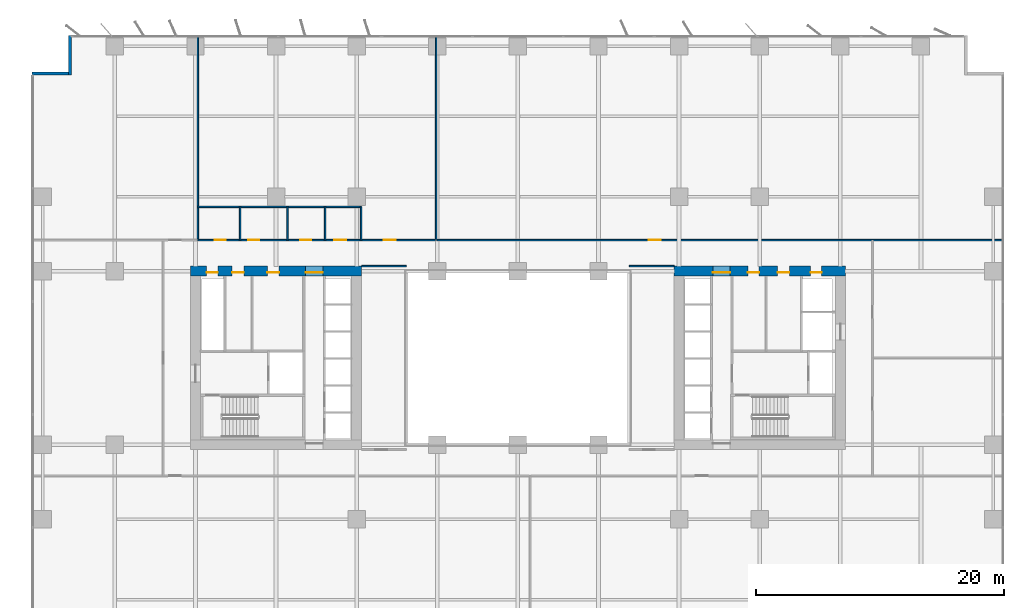
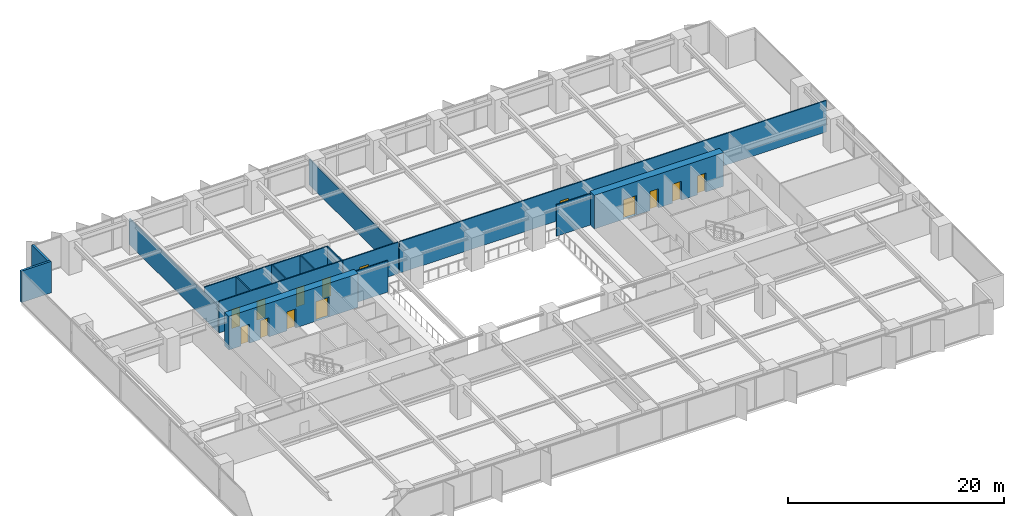
# One storey, part 15 of 20: 16 walls, 14 doors, 14 openings.
"""IFC4 building model written with IfcOpenShell, lengths in metres."""

from ifc_helpers import new_model, si_unit, direction, frame, frame_2d, origin, place, context, subcontext, project, spatial, rectangle, extrude, material, layer, layer_set, type_object, element, fill, save


model = new_model("IFC4")

# Units and contexts
model_context = context("Model", 3, precision=1e-05, world=origin(), true_north=direction((0.0, 1.0)))
body_context = subcontext(model_context, "Body", "Model", "MODEL_VIEW")
ifc_project = project(units=[si_unit("LENGTHUNIT", "METRE"), si_unit("AREAUNIT", "SQUARE_METRE"), si_unit("VOLUMEUNIT", "CUBIC_METRE"), si_unit("PLANEANGLEUNIT", "RADIAN"), si_unit("MASSUNIT", "GRAM", prefix="KILO")], contexts=[model_context])

# Site, building, storey
site_placement = place(None, origin())
site = spatial("IfcSite", under=ifc_project, at=site_placement, CompositionType="ELEMENT")
building_placement = place(site_placement, origin())
building = spatial("IfcBuilding", under=site, at=building_placement, Name="Putna Gate Headquarters", CompositionType="ELEMENT")
storey_placement = place(building_placement, frame((0.0, 0.0, 35.39990234375)))
storey = spatial("IfcBuildingStorey", under=building, at=storey_placement, Name="L07", CompositionType="ELEMENT", Elevation=35.39990234375)

# Wall, openings, doors
ifc_material_1 = material(Name="Concrete C60/75", Category="concrete")
ifc_layer_1 = layer(ifc_material_1, 0.800048828125)
ifc_layer_set_1 = layer_set([ifc_layer_1], Name="Concrete C60/75")
wall_type_1 = type_object("IfcWallType", Name="WALL-CORE-800", PredefinedType="SHEAR", material=ifc_layer_set_1)
wall_1_placement = place(storey_placement, frame((12.60009765625, 33.0, 0.0), z_axis=(0.0, 0.0, 1.0), x_axis=(1.0, 0.0, 0.0)))
wall_1 = element("IfcWall", 1, at=wall_1_placement, inside=storey, type_object=wall_type_1, Name="L07 WC Split Core Shear Wall N", PredefinedType="SHEAR", context=body_context, shape_type="SweptSolid", body=[
    extrude(rectangle(XDim=13.7998046875, YDim=0.800048828125, at=frame_2d((6.89990234375, 0.0))), origin(), (0.0, 0.0, 1.0), 3.800048828125),
])
opening_1_placement = place(wall_1_placement, frame((1.300048828125, 0.0, 0.0)))
opening_1 = element("IfcOpeningElement", 2, at=opening_1_placement, cuts=wall_1, Name="Opening RD-90", PredefinedType="OPENING", context=body_context, shape_type="SweptSolid", body=[
    extrude(rectangle(XDim=0.89990234375, YDim=2.14990234375, at=frame_2d((0.449951171875, 1.074951171875))), frame((0.0, 0.409912109375, 0.0), z_axis=(0.0, -1.0, 0.0), x_axis=(1.0, 0.0, 0.0)), (0.0, 0.0, 1.0), 0.820068359375),
])
opening_2_placement = place(wall_1_placement, frame((3.35009765625, 0.0, 0.0)))
opening_2 = element("IfcOpeningElement", 3, at=opening_2_placement, cuts=wall_1, Name="Opening IDS-95", PredefinedType="OPENING", context=body_context, shape_type="SweptSolid", body=[
    extrude(rectangle(XDim=0.949951171875, YDim=2.14990234375, at=frame_2d((0.47509765625, 1.074951171875))), frame((0.0, 0.409912109375, 0.0), z_axis=(0.0, -1.0, 0.0), x_axis=(1.0, 0.0, 0.0)), (0.0, 0.0, 1.0), 0.820068359375),
])
opening_3_placement = place(wall_1_placement, frame((6.199951171875, 0.0, 0.0)))
opening_3 = element("IfcOpeningElement", 4, at=opening_3_placement, cuts=wall_1, Name="Opening IDS-95", PredefinedType="OPENING", context=body_context, shape_type="SweptSolid", body=[
    extrude(rectangle(XDim=0.949951171875, YDim=2.14990234375, at=frame_2d((0.47509765625, 1.074951171875))), frame((0.0, 0.409912109375, 0.0), z_axis=(0.0, -1.0, 0.0), x_axis=(1.0, 0.0, 0.0)), (0.0, 0.0, 1.0), 0.820068359375),
])
opening_4_placement = place(wall_1_placement, frame((9.280029296875, 0.0, 0.0)))
opening_4 = element("IfcOpeningElement", 5, at=opening_4_placement, cuts=wall_1, Name="Opening FDD-140", PredefinedType="OPENING", context=body_context, shape_type="SweptSolid", body=[
    extrude(rectangle(XDim=1.39990234375, YDim=2.199951171875, at=frame_2d((0.699951171875, 1.10009765625))), frame((0.0, 0.409912109375, 0.0), z_axis=(0.0, -1.0, 0.0), x_axis=(1.0, 0.0, 0.0)), (0.0, 0.0, 1.0), 0.820068359375),
])
ifc_material_2 = material(Name="Double steel fire door", Category="steel")
door_type_1 = type_object("IfcDoorType", Name="DOOR-FIRE-DBL-1400", OperationType="DOUBLE_DOOR_SINGLE_SWING", PredefinedType="DOOR", material=ifc_material_2)
door_1_placement = place(opening_4_placement, origin())
door_1 = element("IfcDoor", 6, at=door_1_placement, inside=storey, type_object=door_type_1, Name="L07 West Lift Lobby North Door", OperationType="DOUBLE_DOOR_SINGLE_SWING", OverallHeight=2.199951171875, OverallWidth=1.39990234375, PredefinedType="DOOR", context=body_context, shape_type="SweptSolid", body=[
    extrude(rectangle(XDim=1.39990234375, YDim=2.199951171875, at=frame_2d((0.699951171875, 1.10009765625))), frame((0.0, -0.0751953125, 0.0), z_axis=(0.0, -1.0, 0.0), x_axis=(1.0, 0.0, 0.0)), (0.0, 0.0, 1.0), 0.050048828125),
])
fill(opening_4, door_1)
ifc_material_3 = material(Name="Fire-rated service timber door", Category="wood")
door_type_2 = type_object("IfcDoorType", Name="DOOR-INT-950", OperationType="NOTDEFINED", PredefinedType="DOOR", material=ifc_material_3)
door_2_placement = place(opening_2_placement, origin())
door_2 = element("IfcDoor", 7, at=door_2_placement, inside=storey, type_object=door_type_2, Name="L07 Archive Store Door", OperationType="SINGLE_SWING_LEFT", OverallHeight=2.14990234375, OverallWidth=0.949951171875, PredefinedType="DOOR", context=body_context, shape_type="SweptSolid", body=[
    extrude(rectangle(XDim=0.949951171875, YDim=2.14990234375, at=frame_2d((0.47509765625, 1.074951171875))), frame((0.0, -0.0751953125, 0.0), z_axis=(0.0, -1.0, 0.0), x_axis=(1.0, 0.0, 0.0)), (0.0, 0.0, 1.0), 0.050048828125),
])
fill(opening_2, door_2)
door_3_placement = place(opening_3_placement, origin())
door_3 = element("IfcDoor", 8, at=door_3_placement, inside=storey, type_object=door_type_2, Name="L07 Switchgear Plant Door", OperationType="SINGLE_SWING_RIGHT", OverallHeight=2.14990234375, OverallWidth=0.949951171875, PredefinedType="DOOR", context=body_context, shape_type="SweptSolid", body=[
    extrude(rectangle(XDim=0.949951171875, YDim=2.14990234375, at=frame_2d((0.47509765625, 1.074951171875))), frame((0.0, -0.0751953125, 0.0), z_axis=(0.0, -1.0, 0.0), x_axis=(1.0, 0.0, 0.0)), (0.0, 0.0, 1.0), 0.050048828125),
])
fill(opening_3, door_3)
ifc_material_4 = material(Name="Steel riser access fire door", Category="steel")
door_type_3 = type_object("IfcDoorType", Name="DOOR-RISER-900", OperationType="NOTDEFINED", PredefinedType="DOOR", material=ifc_material_4)
door_4_placement = place(opening_1_placement, origin())
door_4 = element("IfcDoor", 9, at=door_4_placement, inside=storey, type_object=door_type_3, Name="L07 West Riser Access Door", OperationType="SINGLE_SWING_RIGHT", OverallHeight=2.14990234375, OverallWidth=0.89990234375, PredefinedType="DOOR", context=body_context, shape_type="SweptSolid", body=[
    extrude(rectangle(XDim=0.89990234375, YDim=2.14990234375, at=frame_2d((0.449951171875, 1.074951171875))), frame((0.0, -0.0751953125, 0.0), z_axis=(0.0, -1.0, 0.0), x_axis=(1.0, 0.0, 0.0)), (0.0, 0.0, 1.0), 0.050048828125),
])
fill(opening_1, door_4)

wall_2_placement = place(storey_placement, frame((51.60009765625, 33.0, 0.0), z_axis=(0.0, 0.0, 1.0), x_axis=(1.0, 0.0, 0.0)))
wall_2 = element("IfcWall", 10, at=wall_2_placement, inside=storey, type_object=wall_type_1, Name="L07 EC Split Core Shear Wall N", PredefinedType="SHEAR", context=body_context, shape_type="SweptSolid", body=[
    extrude(rectangle(XDim=13.7998046875, YDim=0.800048828125, at=frame_2d((6.89990234375, 0.0))), origin(), (0.0, 0.0, 1.0), 3.800048828125),
])
opening_5_placement = place(wall_2_placement, frame((3.1201171875, 0.0, 0.0)))
opening_5 = element("IfcOpeningElement", 11, at=opening_5_placement, cuts=wall_2, Name="Opening FDD-140", PredefinedType="OPENING", context=body_context, shape_type="SweptSolid", body=[
    extrude(rectangle(XDim=1.39990234375, YDim=2.199951171875, at=frame_2d((0.699951171875, 1.10009765625))), frame((0.0, 0.409912109375, 0.0), z_axis=(0.0, -1.0, 0.0), x_axis=(1.0, 0.0, 0.0)), (0.0, 0.0, 1.0), 0.820068359375),
])
opening_6_placement = place(wall_2_placement, frame((11.0, 0.0, 0.0)))
opening_6 = element("IfcOpeningElement", 12, at=opening_6_placement, cuts=wall_2, Name="Opening RD-90", PredefinedType="OPENING", context=body_context, shape_type="SweptSolid", body=[
    extrude(rectangle(XDim=0.89990234375, YDim=2.14990234375, at=frame_2d((0.449951171875, 1.074951171875))), frame((0.0, 0.409912109375, 0.0), z_axis=(0.0, -1.0, 0.0), x_axis=(1.0, 0.0, 0.0)), (0.0, 0.0, 1.0), 0.820068359375),
])
opening_7_placement = place(wall_2_placement, frame((5.949951171875, 0.0, 0.0)))
opening_7 = element("IfcOpeningElement", 13, at=opening_7_placement, cuts=wall_2, Name="Opening IDS-90", PredefinedType="OPENING", context=body_context, shape_type="SweptSolid", body=[
    extrude(rectangle(XDim=0.89990234375, YDim=2.14990234375, at=frame_2d((0.449951171875, 1.074951171875))), frame((0.0, 0.409912109375, 0.0), z_axis=(0.0, -1.0, 0.0), x_axis=(1.0, 0.0, 0.0)), (0.0, 0.0, 1.0), 0.820068359375),
])
opening_8_placement = place(wall_2_placement, frame((8.35009765625, 0.0, 0.0)))
opening_8 = element("IfcOpeningElement", 14, at=opening_8_placement, cuts=wall_2, Name="Opening IDS-95", PredefinedType="OPENING", context=body_context, shape_type="SweptSolid", body=[
    extrude(rectangle(XDim=0.949951171875, YDim=2.14990234375, at=frame_2d((0.47509765625, 1.074951171875))), frame((0.0, 0.409912109375, 0.0), z_axis=(0.0, -1.0, 0.0), x_axis=(1.0, 0.0, 0.0)), (0.0, 0.0, 1.0), 0.820068359375),
])
door_5_placement = place(opening_5_placement, origin())
door_5 = element("IfcDoor", 15, at=door_5_placement, inside=storey, type_object=door_type_1, Name="L07 East Lift Lobby North Door", OperationType="DOUBLE_DOOR_SINGLE_SWING", OverallHeight=2.199951171875, OverallWidth=1.39990234375, PredefinedType="DOOR", context=body_context, shape_type="SweptSolid", body=[
    extrude(rectangle(XDim=1.39990234375, YDim=2.199951171875, at=frame_2d((0.699951171875, 1.10009765625))), frame((0.0, -0.0751953125, 0.0), z_axis=(0.0, -1.0, 0.0), x_axis=(1.0, 0.0, 0.0)), (0.0, 0.0, 1.0), 0.050048828125),
])
fill(opening_5, door_5)
ifc_material_5 = material(Name="Fire-rated utility door")
door_type_4 = type_object("IfcDoorType", Name="DOOR-INT-900", OperationType="NOTDEFINED", PredefinedType="DOOR", material=ifc_material_5)
door_6_placement = place(opening_7_placement, origin())
door_6 = element("IfcDoor", 16, at=door_6_placement, inside=storey, type_object=door_type_4, Name="L07 Telecoms Plant Door", OperationType="SINGLE_SWING_LEFT", OverallHeight=2.14990234375, OverallWidth=0.89990234375, PredefinedType="DOOR", context=body_context, shape_type="SweptSolid", body=[
    extrude(rectangle(XDim=0.89990234375, YDim=2.14990234375, at=frame_2d((0.449951171875, 1.074951171875))), frame((0.0, -0.0751953125, 0.0), z_axis=(0.0, -1.0, 0.0), x_axis=(1.0, 0.0, 0.0)), (0.0, 0.0, 1.0), 0.050048828125),
])
fill(opening_7, door_6)
door_7_placement = place(opening_8_placement, origin())
door_7 = element("IfcDoor", 17, at=door_7_placement, inside=storey, type_object=door_type_2, Name="L07 Supplies Store Door", OperationType="SINGLE_SWING_RIGHT", OverallHeight=2.14990234375, OverallWidth=0.949951171875, PredefinedType="DOOR", context=body_context, shape_type="SweptSolid", body=[
    extrude(rectangle(XDim=0.949951171875, YDim=2.14990234375, at=frame_2d((0.47509765625, 1.074951171875))), frame((0.0, -0.0751953125, 0.0), z_axis=(0.0, -1.0, 0.0), x_axis=(1.0, 0.0, 0.0)), (0.0, 0.0, 1.0), 0.050048828125),
])
fill(opening_8, door_7)
door_8_placement = place(opening_6_placement, origin())
door_8 = element("IfcDoor", 18, at=door_8_placement, inside=storey, type_object=door_type_3, Name="L07 East Riser Access Door", OperationType="SINGLE_SWING_LEFT", OverallHeight=2.14990234375, OverallWidth=0.89990234375, PredefinedType="DOOR", context=body_context, shape_type="SweptSolid", body=[
    extrude(rectangle(XDim=0.89990234375, YDim=2.14990234375, at=frame_2d((0.449951171875, 1.074951171875))), frame((0.0, -0.0751953125, 0.0), z_axis=(0.0, -1.0, 0.0), x_axis=(1.0, 0.0, 0.0)), (0.0, 0.0, 1.0), 0.050048828125),
])
fill(opening_6, door_8)

# Walls
ifc_material_6 = material(Name="Precast concrete C40/50", Category="concrete")
ifc_layer_2 = layer(ifc_material_6, 0.239990234375)
ifc_layer_set_2 = layer_set([ifc_layer_2], Name="Precast concrete C40/50")
wall_type_2 = type_object("IfcWallType", Name="WALL-EXT-TERR-240", PredefinedType="STANDARD", material=ifc_layer_set_2)
for number, where, z_axis, x_axis, name in (
    (19, (2.8798828125, 48.800048828125, 0.0), (0.0, 0.0, 1.0), (0.0, 1.0, 0.0), "L07 Corner Notch Return Wall NW-V"),
    (20, (-0.199951171875, 48.919921875, 0.0), (0.0, 0.0, 1.0), (1.0, 0.0, 0.0), "L07 Corner Notch Return Wall NW-H"),
):
    element("IfcWall", number, at=place(storey_placement, frame(where, z_axis=z_axis, x_axis=x_axis)), inside=storey, type_object=wall_type_2, Name=name, PredefinedType="STANDARD", context=body_context, shape_type="SweptSolid", body=[
        extrude(rectangle(XDim=3.199951171875, YDim=0.239990234375, at=frame_2d((1.60009765625, 0.0))), origin(), (0.0, 0.0, 1.0), 3.550048828125),
    ])
ifc_material_7 = material(Name="Acoustic gypsum board on metal stud")
ifc_layer_3 = layer(ifc_material_7, 0.1201171875)
ifc_layer_set_3 = layer_set([ifc_layer_3], Name="Acoustic gypsum board on metal stud")
wall_type_3 = type_object("IfcWallType", Name="WALL-PART-120", PredefinedType="PARTITIONING", material=ifc_layer_set_3)
for number, where, z_axis, x_axis, name in (
    (21, (26.39990234375, 33.39990234375, 0.0), (0.0, 0.0, 1.0), (1.0, 0.0, 0.0), "L07 Interior Wall PART-L07-ATR-W-N"),
    (22, (48.0, 33.39990234375, 0.0), (0.0, 0.0, 1.0), (1.0, 0.0, 0.0), "L07 Interior Wall PART-L07-ATR-E-N"),
):
    element("IfcWall", number, at=place(storey_placement, frame(where, z_axis=z_axis, x_axis=x_axis)), inside=storey, type_object=wall_type_3, Name=name, PredefinedType="PARTITIONING", context=body_context, shape_type="SweptSolid", body=[
        extrude(rectangle(XDim=3.60009765625, YDim=0.1201171875, at=frame_2d((1.800048828125, 0.0))), origin(), (0.0, 0.0, 1.0), 3.550048828125),
    ])
for number, where, z_axis, x_axis, name in (
    (23, (13.199951171875, 35.56005859375, 0.0), (0.0, 0.0, 1.0), (0.0, 1.0, 0.0), "L07 Interior Wall PART-L07-NB-DIV-01"),
    (24, (32.39990234375, 35.56005859375, 0.0), (0.0, 0.0, 1.0), (0.0, 1.0, 0.0), "L07 Interior Wall PART-L07-NB-DIV-02"),
):
    element("IfcWall", number, at=place(storey_placement, frame(where, z_axis=z_axis, x_axis=x_axis)), inside=storey, type_object=wall_type_3, Name=name, PredefinedType="PARTITIONING", context=body_context, shape_type="SweptSolid", body=[
        extrude(rectangle(XDim=16.419921875, YDim=0.1201171875, at=frame_2d((8.2099609375, 0.0))), origin(), (0.0, 0.0, 1.0), 2.900146484375),
    ])

# Wall, openings, doors
ifc_material_8 = material(Name="Fire-rated gypsum board on metal stud")
ifc_layer_4 = layer(ifc_material_8, 0.1201171875)
ifc_layer_set_4 = layer_set([ifc_layer_4], Name="Fire-rated gypsum board on metal stud")
wall_type_4 = type_object("IfcWallType", Name="WALL-PART-120-RATED", PredefinedType="PARTITIONING", material=ifc_layer_set_4)
wall_3_placement = place(storey_placement, frame((13.199951171875, 35.5, 0.0), z_axis=(0.0, 0.0, 1.0), x_axis=(1.0, 0.0, 0.0)))
wall_3 = element("IfcWall", 25, at=wall_3_placement, inside=storey, type_object=wall_type_4, Name="L07 Interior Wall PART-L07-SAN-CW", PredefinedType="PARTITIONING", context=body_context, shape_type="SweptSolid", body=[
    extrude(rectangle(XDim=13.16015625, YDim=0.1201171875, at=frame_2d((6.580078125, 0.0))), origin(), (0.0, 0.0, 1.0), 3.550048828125),
])
opening_9_placement = place(wall_3_placement, frame((1.35009765625, 0.0, 0.0)))
opening_9 = element("IfcOpeningElement", 26, at=opening_9_placement, cuts=wall_3, Name="Opening FD-90", PredefinedType="OPENING", context=body_context, shape_type="SweptSolid", body=[
    extrude(rectangle(XDim=0.89990234375, YDim=2.14990234375, at=frame_2d((0.449951171875, 1.074951171875))), frame((0.0, 0.070068359375, 0.0), z_axis=(0.0, -1.0, 0.0), x_axis=(1.0, 0.0, 0.0)), (0.0, 0.0, 1.0), 0.14013671875),
])
opening_10_placement = place(wall_3_placement, frame((4.050048828125, 0.0, 0.0)))
opening_10 = element("IfcOpeningElement", 27, at=opening_10_placement, cuts=wall_3, Name="Opening FD-90", PredefinedType="OPENING", context=body_context, shape_type="SweptSolid", body=[
    extrude(rectangle(XDim=0.89990234375, YDim=2.14990234375, at=frame_2d((0.449951171875, 1.074951171875))), frame((0.0, 0.070068359375, 0.0), z_axis=(0.0, -1.0, 0.0), x_axis=(1.0, 0.0, 0.0)), (0.0, 0.0, 1.0), 0.14013671875),
])
opening_11_placement = place(wall_3_placement, frame((8.25, 0.0, 0.0)))
opening_11 = element("IfcOpeningElement", 28, at=opening_11_placement, cuts=wall_3, Name="Opening FD-90", PredefinedType="OPENING", context=body_context, shape_type="SweptSolid", body=[
    extrude(rectangle(XDim=0.89990234375, YDim=2.14990234375, at=frame_2d((0.449951171875, 1.074951171875))), frame((0.0, 0.070068359375, 0.0), z_axis=(0.0, -1.0, 0.0), x_axis=(1.0, 0.0, 0.0)), (0.0, 0.0, 1.0), 0.14013671875),
])
opening_12_placement = place(wall_3_placement, frame((11.0, 0.0, 0.0)))
opening_12 = element("IfcOpeningElement", 29, at=opening_12_placement, cuts=wall_3, Name="Opening FD-95", PredefinedType="OPENING", context=body_context, shape_type="SweptSolid", body=[
    extrude(rectangle(XDim=0.949951171875, YDim=2.14990234375, at=frame_2d((0.47509765625, 1.074951171875))), frame((0.0, 0.070068359375, 0.0), z_axis=(0.0, -1.0, 0.0), x_axis=(1.0, 0.0, 0.0)), (0.0, 0.0, 1.0), 0.14013671875),
])
ifc_material_9 = material(Name="Acoustic washroom fire door")
door_type_5 = type_object("IfcDoorType", Name="DOOR-FIRE-900", OperationType="NOTDEFINED", PredefinedType="DOOR", material=ifc_material_9)
door_9_placement = place(opening_9_placement, origin())
door_9 = element("IfcDoor", 30, at=door_9_placement, inside=storey, type_object=door_type_5, Name="L07 Washroom Male Door", OperationType="SINGLE_SWING_LEFT", OverallHeight=2.14990234375, OverallWidth=0.89990234375, PredefinedType="DOOR", context=body_context, shape_type="SweptSolid", body=[
    extrude(rectangle(XDim=0.89990234375, YDim=2.14990234375, at=frame_2d((0.449951171875, 1.074951171875))), frame((0.0, 0.02490234375, 0.0), z_axis=(0.0, -1.0, 0.0), x_axis=(1.0, 0.0, 0.0)), (0.0, 0.0, 1.0), 0.050048828125),
])
fill(opening_9, door_9)
door_10_placement = place(opening_10_placement, origin())
door_10 = element("IfcDoor", 31, at=door_10_placement, inside=storey, type_object=door_type_5, Name="L07 Washroom Female Door", OperationType="SINGLE_SWING_RIGHT", OverallHeight=2.14990234375, OverallWidth=0.89990234375, PredefinedType="DOOR", context=body_context, shape_type="SweptSolid", body=[
    extrude(rectangle(XDim=0.89990234375, YDim=2.14990234375, at=frame_2d((0.449951171875, 1.074951171875))), frame((0.0, 0.02490234375, 0.0), z_axis=(0.0, -1.0, 0.0), x_axis=(1.0, 0.0, 0.0)), (0.0, 0.0, 1.0), 0.050048828125),
])
fill(opening_10, door_10)
door_11_placement = place(opening_11_placement, origin())
door_11 = element("IfcDoor", 32, at=door_11_placement, inside=storey, type_object=door_type_5, Name="L07 Accessible WC Door", OperationType="SINGLE_SWING_LEFT", OverallHeight=2.14990234375, OverallWidth=0.89990234375, PredefinedType="DOOR", context=body_context, shape_type="SweptSolid", body=[
    extrude(rectangle(XDim=0.89990234375, YDim=2.14990234375, at=frame_2d((0.449951171875, 1.074951171875))), frame((0.0, 0.02490234375, 0.0), z_axis=(0.0, -1.0, 0.0), x_axis=(1.0, 0.0, 0.0)), (0.0, 0.0, 1.0), 0.050048828125),
])
fill(opening_11, door_11)
ifc_material_10 = material(Name="Acoustic timber fire door", Category="wood")
door_type_6 = type_object("IfcDoorType", Name="DOOR-FIRE-950", OperationType="NOTDEFINED", PredefinedType="DOOR", material=ifc_material_10)
door_12_placement = place(opening_12_placement, origin())
door_12 = element("IfcDoor", 33, at=door_12_placement, inside=storey, type_object=door_type_6, Name="L07 Staff Pantry and Tea Point Door", OperationType="SINGLE_SWING_RIGHT", OverallHeight=2.14990234375, OverallWidth=0.949951171875, PredefinedType="DOOR", context=body_context, shape_type="SweptSolid", body=[
    extrude(rectangle(XDim=0.949951171875, YDim=2.14990234375, at=frame_2d((0.47509765625, 1.074951171875))), frame((0.0, 0.02490234375, 0.0), z_axis=(0.0, -1.0, 0.0), x_axis=(1.0, 0.0, 0.0)), (0.0, 0.0, 1.0), 0.050048828125),
])
fill(opening_12, door_12)

# Walls
wall_4_placement = place(storey_placement, frame((13.199951171875, 38.179931640625, 0.0), z_axis=(0.0, 0.0, 1.0), x_axis=(1.0, 0.0, 0.0)))
element("IfcWall", 34, at=wall_4_placement, inside=storey, type_object=wall_type_4, Name="L07 Interior Wall PART-L07-SAN-BACK", PredefinedType="PARTITIONING", context=body_context, shape_type="SweptSolid", body=[
    extrude(rectangle(XDim=13.16015625, YDim=0.1201171875, at=frame_2d((6.580078125, 0.0))), origin(), (0.0, 0.0, 1.0), 3.550048828125),
])
for number, where, z_axis, x_axis, name in (
    (35, (16.60009765625, 35.5, 0.0), (0.0, 0.0, 1.0), (0.0, 1.0, 0.0), "L07 Interior Wall PART-L07-SAN-DIV-1"),
    (36, (20.419921875, 35.5, 0.0), (0.0, 0.0, 1.0), (0.0, 1.0, 0.0), "L07 Interior Wall PART-L07-SAN-DIV-2"),
    (37, (23.4599609375, 35.5, 0.0), (0.0, 0.0, 1.0), (0.0, 1.0, 0.0), "L07 Interior Wall PART-L07-SAN-DIV-3"),
    (38, (26.360107421875, 35.5, 0.0), (0.0, 0.0, 1.0), (0.0, 1.0, 0.0), "L07 Interior Wall PART-L07-SAN-DIV-4"),
):
    element("IfcWall", number, at=place(storey_placement, frame(where, z_axis=z_axis, x_axis=x_axis)), inside=storey, type_object=wall_type_4, Name=name, PredefinedType="PARTITIONING", context=body_context, shape_type="SweptSolid", body=[
        extrude(rectangle(XDim=2.679931640625, YDim=0.1201171875, at=frame_2d((1.33984375, 0.0))), origin(), (0.0, 0.0, 1.0), 3.550048828125),
    ])

# Wall, opening, door
wall_5_placement = place(storey_placement, frame((26.419921875, 35.5, 0.0), z_axis=(0.0, 0.0, 1.0), x_axis=(1.0, 0.0, 0.0)))
wall_5 = element("IfcWall", 39, at=wall_5_placement, inside=storey, type_object=wall_type_4, Name="L07 Interior Wall PART-L07-NB-CW-02", PredefinedType="PARTITIONING", context=body_context, shape_type="SweptSolid", body=[
    extrude(rectangle(XDim=5.920166015625, YDim=0.1201171875, at=frame_2d((2.9599609375, 0.0))), origin(), (0.0, 0.0, 1.0), 3.550048828125),
])
opening_13_placement = place(wall_5_placement, frame((1.77587890625, 0.0, 0.0)))
opening_13 = element("IfcOpeningElement", 40, at=opening_13_placement, cuts=wall_5, Name="Opening FD-95", PredefinedType="OPENING", context=body_context, shape_type="SweptSolid", body=[
    extrude(rectangle(XDim=0.949951171875, YDim=2.14990234375, at=frame_2d((0.47509765625, 1.074951171875))), frame((0.0, 0.070068359375, 0.0), z_axis=(0.0, -1.0, 0.0), x_axis=(1.0, 0.0, 0.0)), (0.0, 0.0, 1.0), 0.14013671875),
])
door_13_placement = place(opening_13_placement, origin())
door_13 = element("IfcDoor", 41, at=door_13_placement, inside=storey, type_object=door_type_6, Name="L07 Primary Open Office Workplace Door", OperationType="SINGLE_SWING_RIGHT", OverallHeight=2.14990234375, OverallWidth=0.949951171875, PredefinedType="DOOR", context=body_context, shape_type="SweptSolid", body=[
    extrude(rectangle(XDim=0.949951171875, YDim=2.14990234375, at=frame_2d((0.47509765625, 1.074951171875))), frame((0.0, 0.02490234375, 0.0), z_axis=(0.0, -1.0, 0.0), x_axis=(1.0, 0.0, 0.0)), (0.0, 0.0, 1.0), 0.050048828125),
])
fill(opening_13, door_13)

wall_6_placement = place(storey_placement, frame((32.4599609375, 35.5, 0.0), z_axis=(0.0, 0.0, 1.0), x_axis=(1.0, 0.0, 0.0)))
wall_6 = element("IfcWall", 42, at=wall_6_placement, inside=storey, type_object=wall_type_4, Name="L07 Interior Wall PART-L07-NB-CW-03", PredefinedType="PARTITIONING", context=body_context, shape_type="SweptSolid", body=[
    extrude(rectangle(XDim=45.56005859375, YDim=0.1201171875, at=frame_2d((22.780029296875, 0.0))), origin(), (0.0, 0.0, 1.0), 3.550048828125),
])
opening_14_placement = place(wall_6_placement, frame((17.094970703125, 0.0, 0.0)))
opening_14 = element("IfcOpeningElement", 43, at=opening_14_placement, cuts=wall_6, Name="Opening FD-95", PredefinedType="OPENING", context=body_context, shape_type="SweptSolid", body=[
    extrude(rectangle(XDim=0.949951171875, YDim=2.14990234375, at=frame_2d((0.47509765625, 1.074951171875))), frame((0.0, 0.070068359375, 0.0), z_axis=(0.0, -1.0, 0.0), x_axis=(1.0, 0.0, 0.0)), (0.0, 0.0, 1.0), 0.14013671875),
])
door_14_placement = place(opening_14_placement, origin())
door_14 = element("IfcDoor", 44, at=door_14_placement, inside=storey, type_object=door_type_6, Name="L07 Collaborative Breakout Lounge 1 Door", OperationType="SINGLE_SWING_LEFT", OverallHeight=2.14990234375, OverallWidth=0.949951171875, PredefinedType="DOOR", context=body_context, shape_type="SweptSolid", body=[
    extrude(rectangle(XDim=0.949951171875, YDim=2.14990234375, at=frame_2d((0.47509765625, 1.074951171875))), frame((0.0, 0.02490234375, 0.0), z_axis=(0.0, -1.0, 0.0), x_axis=(1.0, 0.0, 0.0)), (0.0, 0.0, 1.0), 0.050048828125),
])
fill(opening_14, door_14)

save(model, "model.ifc")
